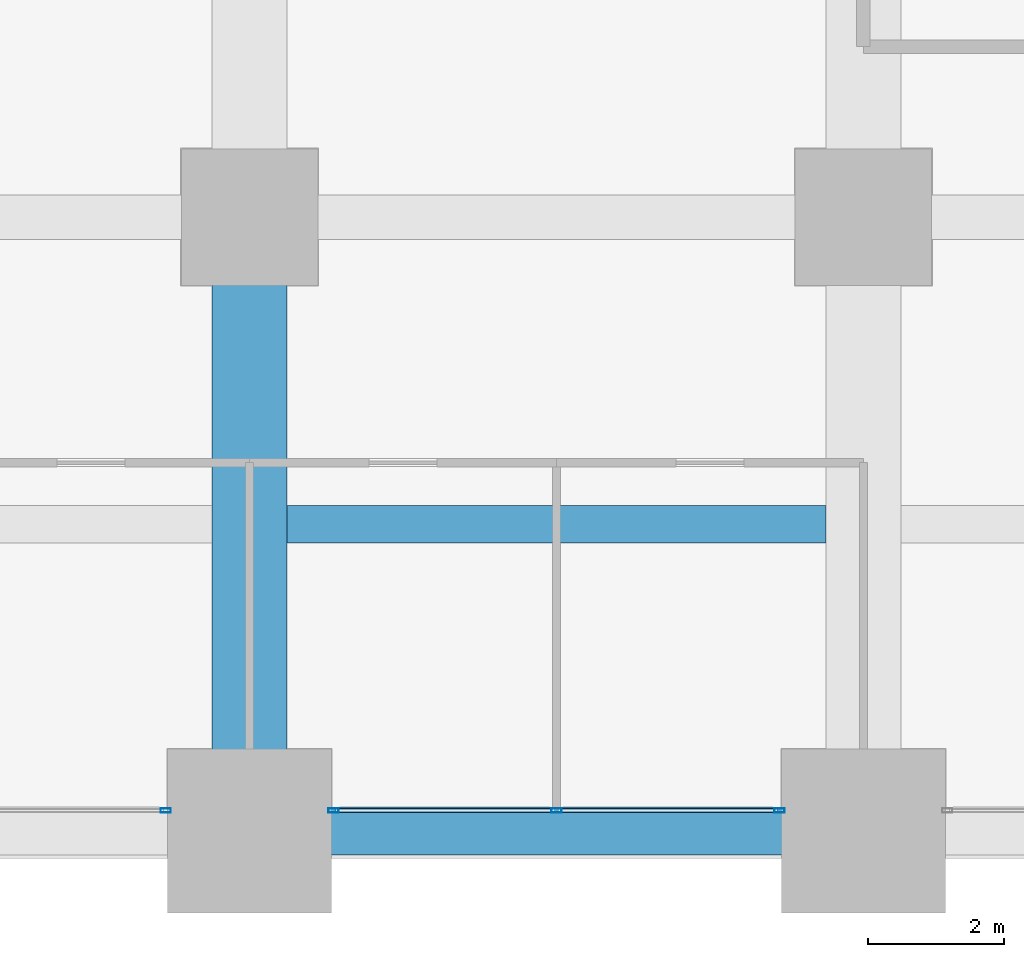
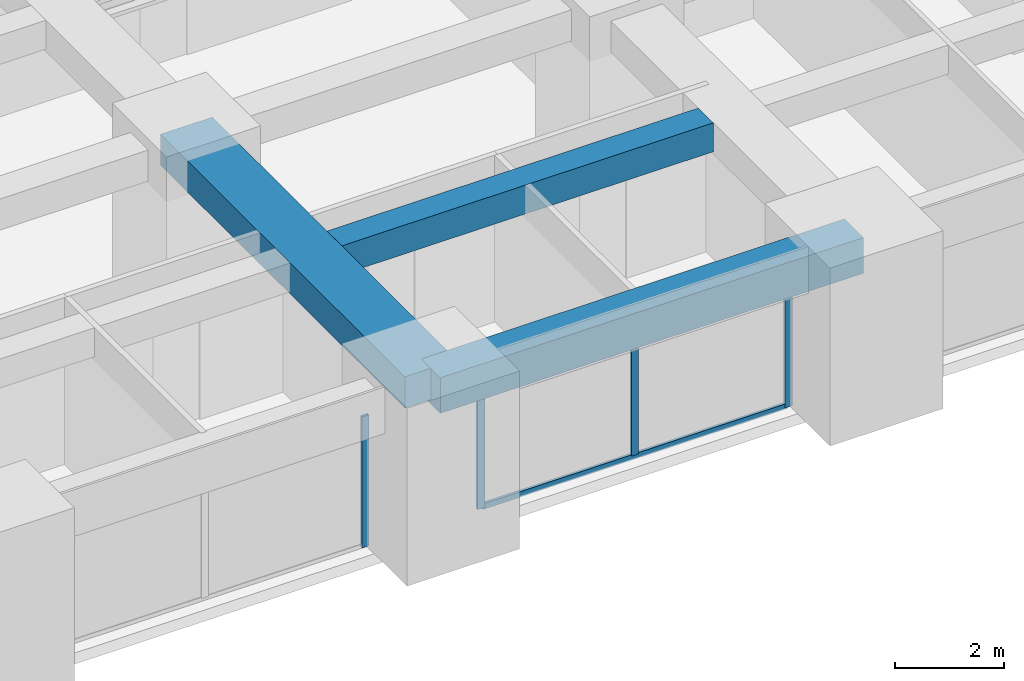
# One storey, part 6 of 41: 5 members, 3 beams, 2 elements without a shape of their own.
"""IFC4 building model written with IfcOpenShell, lengths in metres."""

from ifc_helpers import new_model, si_unit, direction, frame, origin, origin_2d, place, context, subcontext, project, spatial, rectangle, hollow_rectangle, extrude, material, material_profile, profile_set, type_object, element, aggregate, save


model = new_model("IFC4")

# Units and contexts
model_context = context("Model", 3, precision=1e-05, world=origin(), true_north=direction((0.0, 1.0)))
body_context = subcontext(model_context, "Body", "Model", "MODEL_VIEW")
ifc_project = project(units=[si_unit("LENGTHUNIT", "METRE"), si_unit("AREAUNIT", "SQUARE_METRE"), si_unit("VOLUMEUNIT", "CUBIC_METRE"), si_unit("PLANEANGLEUNIT", "RADIAN"), si_unit("MASSUNIT", "GRAM", prefix="KILO")], contexts=[model_context])

# Site, building, storey
site_placement = place(None, origin())
site = spatial("IfcSite", under=ifc_project, at=site_placement, CompositionType="ELEMENT")
building_placement = place(site_placement, origin())
building = spatial("IfcBuilding", under=site, at=building_placement, Name="Zorevar Civic Tower", CompositionType="ELEMENT")
storey_placement = place(building_placement, frame((0.0, 0.0, 105.0)))
storey = spatial("IfcBuildingStorey", under=building, at=storey_placement, Name="L25", CompositionType="ELEMENT", Elevation=105.0)

# Beams
ifc_material_1 = material(Name="Concrete C50/60", Category="concrete")
ifc_material_profile_1 = material_profile(ifc_material_1, rectangle(XDim=1.10009765625, YDim=0.699951171875, at=origin_2d()), Name="RC 1100x700")
ifc_profile_set_1 = profile_set([ifc_material_profile_1], Name="Concrete C50/60")
beam_type_1 = type_object("IfcBeamType", Name="Beam RC 1100x700", PredefinedType="BEAM", material=ifc_profile_set_1)
beam_1_placement = place(storey_placement, frame((18.0, 0.0, 3.39990234375), z_axis=(0.0, 1.0, 0.0), x_axis=(-1.0, 0.0, 0.0)))
element("IfcBeam", 1, at=beam_1_placement, inside=storey, type_object=beam_type_1, Name="Girder L26", PredefinedType="BEAM", context=body_context, shape_type="SweptSolid", body=[
    extrude(rectangle(XDim=1.10009765625, YDim=0.699951171875, at=origin_2d()), origin(), (0.0, 0.0, 1.0), 9.0),
])
ifc_material_2 = material(Name="Concrete C50/60", Category="concrete")
ifc_material_profile_2 = material_profile(ifc_material_2, rectangle(XDim=0.550048828125, YDim=0.64990234375, at=origin_2d()), Name="RC 550x650")
ifc_profile_set_2 = profile_set([ifc_material_profile_2], Name="Concrete C50/60")
beam_type_2 = type_object("IfcBeamType", Name="Beam RC 550x650", PredefinedType="BEAM", material=ifc_profile_set_2)
beam_2_placement = place(storey_placement, frame((18.550048828125, 4.5, 3.425048828125), z_axis=(1.0, 0.0, 0.0), x_axis=(0.0, 1.0, 0.0)))
element("IfcBeam", 2, at=beam_2_placement, inside=storey, type_object=beam_type_2, Name="Secondary beam L26", PredefinedType="BEAM", context=body_context, shape_type="SweptSolid", body=[
    extrude(rectangle(XDim=0.550048828125, YDim=0.64990234375, at=origin_2d()), origin(), (0.0, 0.0, 1.0), 7.89990234375),
])

# Curtain wall, member
ifc_material_3 = material(Name="Dark grey solar-control glass in black aluminium frame", Category="aluminium")
curtain_wall_type = type_object("IfcCurtainWallType", Name="Curtain wall CW3 mid zone", PredefinedType="NOTDEFINED", material=ifc_material_3)
curtain_wall_1_placement = place(storey_placement, origin())
curtain_wall_1 = element("IfcCurtainWall", 3, at=curtain_wall_1_placement, inside=storey, type_object=curtain_wall_type, Name="CW3 L25", PredefinedType="NOTDEFINED")
ifc_material_4 = material(Name="Aluminium, black anodised", Category="aluminium")
ifc_material_profile_3 = material_profile(ifc_material_4, hollow_rectangle(XDim=0.06005859375, YDim=0.14990234375, WallThickness=0.00390625, at=origin_2d()), Name="AL 150x60x4")
ifc_profile_set_3 = profile_set([ifc_material_profile_3], Name="Aluminium, black anodised")
member_type_1 = type_object("IfcMemberType", Name="CW3 mullion AL 150x60x4", PredefinedType="MULLION", material=ifc_profile_set_3)
member_1_placement = place(storey_placement, frame((16.77001953125, 0.300048828125, 0.0), z_axis=(0.0, 0.0, 1.0), x_axis=(0.0, 1.0, 0.0)))
member_1 = element("IfcMember", 4, at=member_1_placement, type_object=member_type_1, Name="CW3 mullion 3", PredefinedType="MULLION", context=body_context, shape_type="SweptSolid", body=[
    extrude(hollow_rectangle(XDim=0.06005859375, YDim=0.14990234375, WallThickness=0.00390625, at=origin_2d()), origin(), (0.0, 0.0, 1.0), 2.949951171875),
])
aggregate(curtain_wall_1, [member_1])

# Curtain wall, members
curtain_wall_2_placement = place(storey_placement, origin())
curtain_wall_2 = element("IfcCurtainWall", 5, at=curtain_wall_2_placement, inside=storey, type_object=curtain_wall_type, Name="CW3 L25", PredefinedType="NOTDEFINED")
member_2_placement = place(storey_placement, frame((19.22998046875, 0.300048828125, 0.0), z_axis=(0.0, 0.0, 1.0), x_axis=(0.0, 1.0, 0.0)))
member_2 = element("IfcMember", 6, at=member_2_placement, type_object=member_type_1, Name="CW3 mullion 1", PredefinedType="MULLION", context=body_context, shape_type="SweptSolid", body=[
    extrude(hollow_rectangle(XDim=0.06005859375, YDim=0.14990234375, WallThickness=0.00390625, at=origin_2d()), origin(), (0.0, 0.0, 1.0), 2.949951171875),
])
member_3_placement = place(storey_placement, frame((22.5, 0.300048828125, 0.06005859375), z_axis=(0.0, 0.0, 1.0), x_axis=(0.0, 1.0, 0.0)))
member_3 = element("IfcMember", 7, at=member_3_placement, type_object=member_type_1, Name="CW3 mullion 2", PredefinedType="MULLION", context=body_context, shape_type="SweptSolid", body=[
    extrude(hollow_rectangle(XDim=0.06005859375, YDim=0.14990234375, WallThickness=0.00390625, at=origin_2d()), origin(), (0.0, 0.0, 1.0), 2.889892578125),
])
member_4_placement = place(storey_placement, frame((25.77001953125, 0.300048828125, 0.0), z_axis=(0.0, 0.0, 1.0), x_axis=(0.0, 1.0, 0.0)))
member_4 = element("IfcMember", 8, at=member_4_placement, type_object=member_type_1, Name="CW3 mullion 3", PredefinedType="MULLION", context=body_context, shape_type="SweptSolid", body=[
    extrude(hollow_rectangle(XDim=0.06005859375, YDim=0.14990234375, WallThickness=0.00390625, at=origin_2d()), origin(), (0.0, 0.0, 1.0), 2.949951171875),
])
ifc_material_5 = material(Name="Aluminium, black anodised", Category="aluminium")
ifc_material_profile_4 = material_profile(ifc_material_5, hollow_rectangle(XDim=0.06005859375, YDim=0.1201171875, WallThickness=0.0029296875, at=origin_2d()), Name="AL 120x60x3")
ifc_profile_set_4 = profile_set([ifc_material_profile_4], Name="Aluminium, black anodised")
member_type_2 = type_object("IfcMemberType", Name="CW3 transom AL 120x60x3", PredefinedType="USERDEFINED", material=ifc_profile_set_4)
member_5_placement = place(storey_placement, frame((19.260009765625, 0.300048828125, 0.030029296875), z_axis=(1.0, 0.0, 0.0), x_axis=(0.0, 1.0, 0.0)))
member_5 = element("IfcMember", 9, at=member_5_placement, type_object=member_type_2, Name="CW3 sill transom", ObjectType="TRANSOM", PredefinedType="USERDEFINED", context=body_context, shape_type="SweptSolid", body=[
    extrude(hollow_rectangle(XDim=0.06005859375, YDim=0.1201171875, WallThickness=0.0029296875, at=origin_2d()), origin(), (0.0, 0.0, 1.0), 6.47998046875),
])
aggregate(curtain_wall_2, [member_2, member_3, member_4, member_5])

# Beam
ifc_material_6 = material(Name="Concrete C50/60", Category="concrete")
ifc_material_profile_5 = material_profile(ifc_material_6, rectangle(XDim=0.699951171875, YDim=0.800048828125, at=origin_2d()), Name="RC 700x800")
ifc_profile_set_5 = profile_set([ifc_material_profile_5], Name="Concrete C50/60")
beam_type_3 = type_object("IfcBeamType", Name="Edge beam RC 700x800", PredefinedType="SPANDREL", material=ifc_profile_set_5)
beam_3_placement = place(storey_placement, frame((18.0, 0.0, 3.35009765625), z_axis=(1.0, 0.0, 0.0), x_axis=(0.0, 1.0, 0.0)))
element("IfcBeam", 10, at=beam_3_placement, inside=storey, type_object=beam_type_3, Name="Edge beam L26", PredefinedType="SPANDREL", context=body_context, shape_type="SweptSolid", body=[
    extrude(rectangle(XDim=0.699951171875, YDim=0.800048828125, at=origin_2d()), origin(), (0.0, 0.0, 1.0), 9.0),
])

save(model, "model.ifc")
